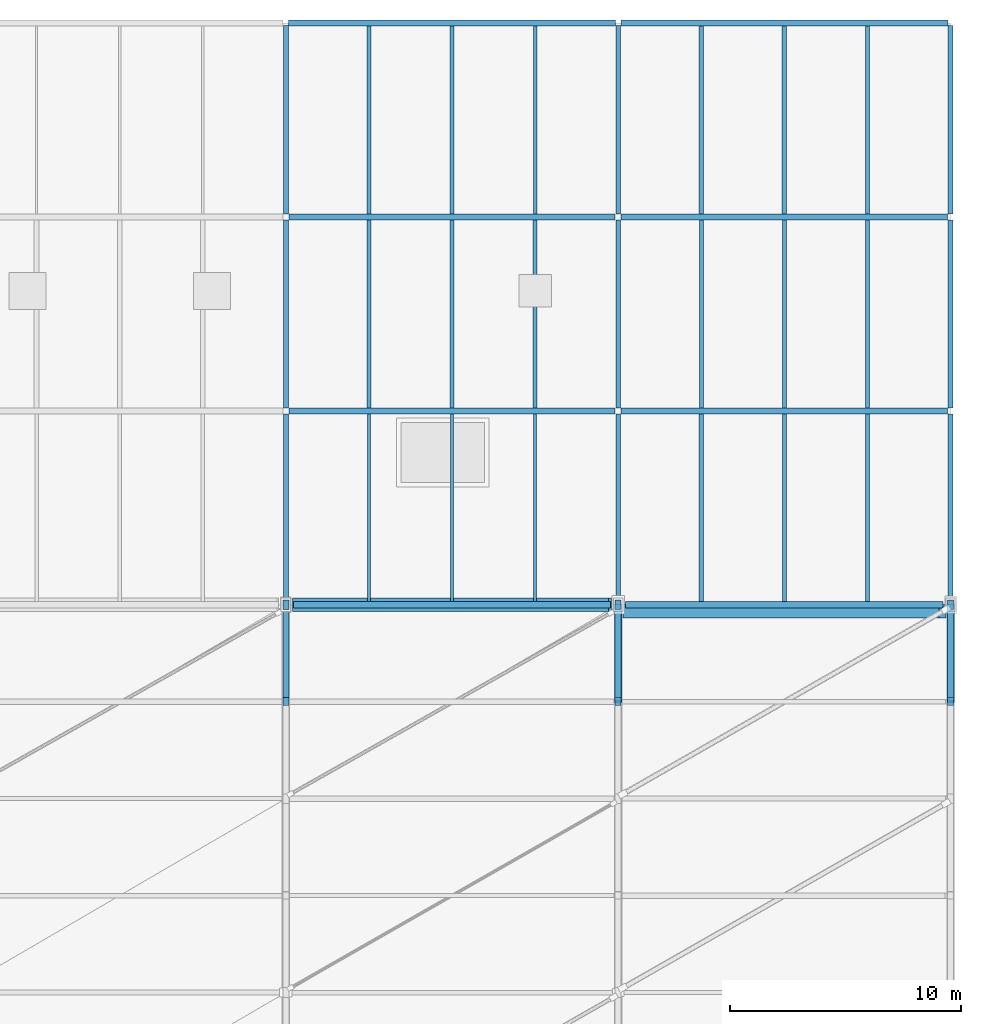
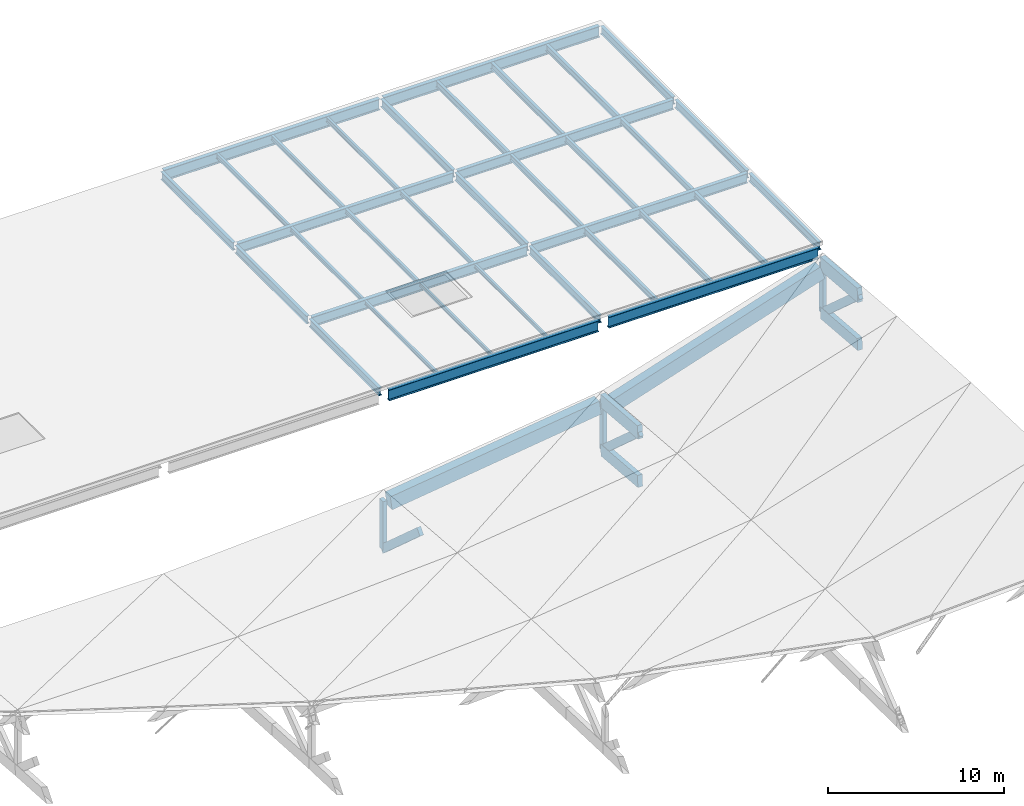
# One storey, part 11 of 22: 41 beams, 6 members.
"""IFC4 building model written with IfcOpenShell, lengths in metres."""

from ifc_helpers import new_model, si_unit, direction, frame, origin, origin_2d, place, context, subcontext, project, spatial, rectangle, i_section, extrude, material, material_profile, profile_set, type_object, element, save


model = new_model("IFC4")

# Units and contexts
model_context = context("Model", 3, precision=1e-05, world=origin(), true_north=direction((0.0, 1.0)))
body_context = subcontext(model_context, "Body", "Model", "MODEL_VIEW")
ifc_project = project(units=[si_unit("LENGTHUNIT", "METRE"), si_unit("AREAUNIT", "SQUARE_METRE"), si_unit("VOLUMEUNIT", "CUBIC_METRE"), si_unit("PLANEANGLEUNIT", "RADIAN"), si_unit("MASSUNIT", "GRAM", prefix="KILO"), si_unit("THERMODYNAMICTEMPERATUREUNIT", "KELVIN")], contexts=[model_context])

# Site, building, storey
site_placement = place(None, origin())
site = spatial("IfcSite", under=ifc_project, at=site_placement, CompositionType="ELEMENT")
building_placement = place(site_placement, origin())
building = spatial("IfcBuilding", under=site, at=building_placement, Name="Nduvali Passage Aquatics Centre", CompositionType="ELEMENT")
storey_placement = place(building_placement, frame((0.0, 0.0, 21.60009765625)))
storey = spatial("IfcBuildingStorey", under=building, at=storey_placement, Name="RF", CompositionType="ELEMENT", Elevation=21.60009765625)

# Beams
ifc_material_1 = material(Name="Glulam GL32c", Category="wood")
ifc_material_profile_1 = material_profile(ifc_material_1, rectangle(XDim=0.320068359375, YDim=0.800048828125, at=origin_2d()), Name="GL32c 320x800")
ifc_profile_set_1 = profile_set([ifc_material_profile_1], Name="Glulam GL32c")
beam_type_1 = type_object("IfcBeamType", Name="STR-BM-GL32-BOT", PredefinedType="BEAM", material=ifc_profile_set_1)
for number, where, z_axis, x_axis, name in (
    (1, (111.60009765625, 88.199951171875, -8.972900390625), (0.0, 0.996548554241, -0.083011921073), (-1.0, 0.0, 0.0), "RF Pool Hall Roof Truss Bottom Chord R7 BC1-1901"),
    (2, (126.0, 88.199951171875, -4.524169921875), (0.0, 0.996548554241, -0.083011921073), (-1.0, 0.0, 0.0), "RF Pool Hall Roof Truss Bottom Chord R8 BC1-1933"),
):
    element("IfcBeam", number, at=place(storey_placement, frame(where, z_axis=z_axis, x_axis=x_axis)), inside=storey, type_object=beam_type_1, Name=name, PredefinedType="BEAM", context=body_context, shape_type="SweptSolid", body=[
        extrude(rectangle(XDim=0.320068359375, YDim=0.800048828125, at=origin_2d()), origin(), (0.0, 0.0, 1.0), 4.214599609375),
    ])
ifc_material_profile_2 = material_profile(ifc_material_1, rectangle(XDim=0.320068359375, YDim=0.9599609375, at=origin_2d()), Name="GL32c 320x960")
ifc_profile_set_2 = profile_set([ifc_material_profile_2], Name="Glulam GL32c")
beam_type_2 = type_object("IfcBeamType", Name="STR-BM-GL32-END", PredefinedType="BEAM", material=ifc_profile_set_2)
beam_1_placement = place(storey_placement, frame((126.0, 88.199951171875, -1.1240234375), z_axis=(0.0, 0.996543760423, -0.083069450238), x_axis=(-1.0, 0.0, 0.0)))
element("IfcBeam", 3, at=beam_1_placement, inside=storey, type_object=beam_type_2, Name="RF Pool Hall Roof Truss Top Chord R8 TC0-1932", PredefinedType="BEAM", context=body_context, shape_type="SweptSolid", body=[
    extrude(rectangle(XDim=0.320068359375, YDim=0.9599609375, at=origin_2d()), origin(), (0.0, 0.0, 1.0), 4.214599609375),
])
ifc_material_profile_3 = material_profile(ifc_material_1, rectangle(XDim=0.320068359375, YDim=0.89990234375, at=origin_2d()), Name="GL32c 320x900")
ifc_profile_set_3 = profile_set([ifc_material_profile_3], Name="Glulam GL32c")
beam_type_3 = type_object("IfcBeamType", Name="STR-BM-GL32-TOP", PredefinedType="BEAM", material=ifc_profile_set_3)
beam_2_placement = place(storey_placement, frame((111.60009765625, 88.199951171875, -5.57275390625), z_axis=(0.0, 0.996543760423, -0.083069450238), x_axis=(-1.0, 0.0, 0.0)))
element("IfcBeam", 4, at=beam_2_placement, inside=storey, type_object=beam_type_3, Name="RF Pool Hall Roof Truss Top Chord R7 TC1-1900", PredefinedType="BEAM", context=body_context, shape_type="SweptSolid", body=[
    extrude(rectangle(XDim=0.320068359375, YDim=0.89990234375, at=origin_2d()), origin(), (0.0, 0.0, 1.0), 4.214599609375),
])
ifc_material_2 = material(Name="Concrete C40/50", Category="concrete")
ifc_material_profile_4 = material_profile(ifc_material_2, rectangle(XDim=0.60009765625, YDim=0.949951171875, at=origin_2d()), Name="RC 600x950")
ifc_profile_set_4 = profile_set([ifc_material_profile_4], Name="Concrete C40/50")
beam_type_4 = type_object("IfcBeamType", Name="STR-BM-RC6095-EXT", PredefinedType="BEAM", material=ifc_profile_set_4)
beam_3_placement = place(storey_placement, frame((97.550048828125, 92.39990234375, -7.9814453125), z_axis=(0.991142078777, 0.0, 0.132805796852), x_axis=(0.0, 1.0, 0.0)))
element("IfcBeam", 5, at=beam_3_placement, inside=storey, type_object=beam_type_4, Name="RF Pool Hall Perimeter Ring Beam B1E-1676", PredefinedType="BEAM", context=body_context, shape_type="SweptSolid", body=[
    extrude(rectangle(XDim=0.60009765625, YDim=0.949951171875, at=origin_2d()), origin(), (0.0, 0.0, 1.0), 13.822509765625),
])
beam_4_placement = place(storey_placement, frame((111.949951171875, 92.1201171875, -6.145751953125), z_axis=(0.950496768294, 0.0, 0.310734442027), x_axis=(0.0, 1.0, 0.0)))
element("IfcBeam", 6, at=beam_4_placement, inside=storey, type_object=beam_type_4, Name="RF Pool Hall Perimeter Ring Beam B1E-1677", PredefinedType="BEAM", context=body_context, shape_type="SweptSolid", body=[
    extrude(rectangle(XDim=0.60009765625, YDim=0.949951171875, at=origin_2d()), origin(), (0.0, 0.0, 1.0), 14.41357421875),
])
ifc_material_3 = material(Name="Steel S355", Category="steel")
ifc_material_profile_5 = material_profile(ifc_material_3, i_section(OverallWidth=0.210693359375, OverallDepth=0.53955078125, WebThickness=0.01171875, FlangeThickness=0.018798828125, FilletRadius=0.0126953125, at=origin_2d()), Name="UKB 533x210x109")
ifc_profile_set_5 = profile_set([ifc_material_profile_5], Name="Steel S355")
beam_type_5 = type_object("IfcBeamType", Name="STR-BM-UKB533", PredefinedType="BEAM", material=ifc_profile_set_5)
beam_5_placement = place(storey_placement, frame((97.199951171875, 92.72509765625, -0.493896484375), z_axis=(0.0, 1.0, 0.0), x_axis=(-1.0, 0.0, 0.0)))
element("IfcBeam", 7, at=beam_5_placement, inside=storey, type_object=beam_type_5, Name="RF Primary Y-Girder B6-1462", PredefinedType="BEAM", context=body_context, shape_type="SweptSolid", body=[
    extrude(i_section(OverallWidth=0.210693359375, OverallDepth=0.53955078125, WebThickness=0.01171875, FlangeThickness=0.018798828125, FilletRadius=0.0126953125, at=origin_2d()), origin(), (0.0, 0.0, 1.0), 7.94482421875),
])
beam_6_placement = place(storey_placement, frame((97.199951171875, 100.929931640625, -0.493896484375), z_axis=(0.0, 1.0, 0.0), x_axis=(-1.0, 0.0, 0.0)))
element("IfcBeam", 8, at=beam_6_placement, inside=storey, type_object=beam_type_5, Name="RF Primary Y-Girder B6-1463", PredefinedType="BEAM", context=body_context, shape_type="SweptSolid", body=[
    extrude(i_section(OverallWidth=0.210693359375, OverallDepth=0.53955078125, WebThickness=0.01171875, FlangeThickness=0.018798828125, FilletRadius=0.0126953125, at=origin_2d()), origin(), (0.0, 0.0, 1.0), 8.14013671875),
])
beam_7_placement = place(storey_placement, frame((97.199951171875, 109.330078125, -0.493896484375), z_axis=(0.0, 1.0, 0.0), x_axis=(-1.0, 0.0, 0.0)))
element("IfcBeam", 9, at=beam_7_placement, inside=storey, type_object=beam_type_5, Name="RF Primary Y-Girder B6-1464", PredefinedType="BEAM", context=body_context, shape_type="SweptSolid", body=[
    extrude(i_section(OverallWidth=0.210693359375, OverallDepth=0.53955078125, WebThickness=0.01171875, FlangeThickness=0.018798828125, FilletRadius=0.0126953125, at=origin_2d()), origin(), (0.0, 0.0, 1.0), 8.155029296875),
])
beam_8_placement = place(storey_placement, frame((111.60009765625, 92.72509765625, -0.493896484375), z_axis=(0.0, 1.0, 0.0), x_axis=(-1.0, 0.0, 0.0)))
element("IfcBeam", 10, at=beam_8_placement, inside=storey, type_object=beam_type_5, Name="RF Primary Y-Girder B6-1465", PredefinedType="BEAM", context=body_context, shape_type="SweptSolid", body=[
    extrude(i_section(OverallWidth=0.210693359375, OverallDepth=0.53955078125, WebThickness=0.01171875, FlangeThickness=0.018798828125, FilletRadius=0.0126953125, at=origin_2d()), origin(), (0.0, 0.0, 1.0), 7.94482421875),
])
beam_9_placement = place(storey_placement, frame((111.60009765625, 100.929931640625, -0.493896484375), z_axis=(0.0, 1.0, 0.0), x_axis=(-1.0, 0.0, 0.0)))
element("IfcBeam", 11, at=beam_9_placement, inside=storey, type_object=beam_type_5, Name="RF Primary Y-Girder B6-1466", PredefinedType="BEAM", context=body_context, shape_type="SweptSolid", body=[
    extrude(i_section(OverallWidth=0.210693359375, OverallDepth=0.53955078125, WebThickness=0.01171875, FlangeThickness=0.018798828125, FilletRadius=0.0126953125, at=origin_2d()), origin(), (0.0, 0.0, 1.0), 8.14013671875),
])
beam_10_placement = place(storey_placement, frame((111.60009765625, 109.330078125, -0.493896484375), z_axis=(0.0, 1.0, 0.0), x_axis=(-1.0, 0.0, 0.0)))
element("IfcBeam", 12, at=beam_10_placement, inside=storey, type_object=beam_type_5, Name="RF Primary Y-Girder B6-1467", PredefinedType="BEAM", context=body_context, shape_type="SweptSolid", body=[
    extrude(i_section(OverallWidth=0.210693359375, OverallDepth=0.53955078125, WebThickness=0.01171875, FlangeThickness=0.018798828125, FilletRadius=0.0126953125, at=origin_2d()), origin(), (0.0, 0.0, 1.0), 8.155029296875),
])
ifc_material_profile_6 = material_profile(ifc_material_3, i_section(OverallWidth=0.210693359375, OverallDepth=0.53955078125, WebThickness=0.01171875, FlangeThickness=0.018798828125, FilletRadius=0.0126953125, at=origin_2d()), Name="UKB 533x210x109")
ifc_profile_set_6 = profile_set([ifc_material_profile_6], Name="Steel S355")
beam_type_6 = type_object("IfcBeamType", Name="STR-BM-UKB533-EXT", PredefinedType="BEAM", material=ifc_profile_set_6)
beam_11_placement = place(storey_placement, frame((126.0, 92.72509765625, -0.493896484375), z_axis=(0.0, 1.0, 0.0), x_axis=(-1.0, 0.0, 0.0)))
element("IfcBeam", 13, at=beam_11_placement, inside=storey, type_object=beam_type_6, Name="RF Primary Y-Girder B6E-1468", PredefinedType="BEAM", context=body_context, shape_type="SweptSolid", body=[
    extrude(i_section(OverallWidth=0.210693359375, OverallDepth=0.53955078125, WebThickness=0.01171875, FlangeThickness=0.018798828125, FilletRadius=0.0126953125, at=origin_2d()), origin(), (0.0, 0.0, 1.0), 7.94482421875),
])
beam_12_placement = place(storey_placement, frame((126.0, 100.929931640625, -0.493896484375), z_axis=(0.0, 1.0, 0.0), x_axis=(-1.0, 0.0, 0.0)))
element("IfcBeam", 14, at=beam_12_placement, inside=storey, type_object=beam_type_6, Name="RF Primary Y-Girder B6E-1469", PredefinedType="BEAM", context=body_context, shape_type="SweptSolid", body=[
    extrude(i_section(OverallWidth=0.210693359375, OverallDepth=0.53955078125, WebThickness=0.01171875, FlangeThickness=0.018798828125, FilletRadius=0.0126953125, at=origin_2d()), origin(), (0.0, 0.0, 1.0), 8.14013671875),
])
beam_13_placement = place(storey_placement, frame((126.0, 109.330078125, -0.493896484375), z_axis=(0.0, 1.0, 0.0), x_axis=(-1.0, 0.0, 0.0)))
element("IfcBeam", 15, at=beam_13_placement, inside=storey, type_object=beam_type_6, Name="RF Primary Y-Girder B6E-1470", PredefinedType="BEAM", context=body_context, shape_type="SweptSolid", body=[
    extrude(i_section(OverallWidth=0.210693359375, OverallDepth=0.53955078125, WebThickness=0.01171875, FlangeThickness=0.018798828125, FilletRadius=0.0126953125, at=origin_2d()), origin(), (0.0, 0.0, 1.0), 8.155029296875),
])
ifc_material_profile_7 = material_profile(ifc_material_3, i_section(OverallWidth=0.253662109375, OverallDepth=0.68359375, WebThickness=0.012451171875, FlangeThickness=0.01904296875, FilletRadius=0.01513671875, at=origin_2d()), Name="UKB 686x254x140")
ifc_profile_set_7 = profile_set([ifc_material_profile_7], Name="Steel S355")
beam_type_7 = type_object("IfcBeamType", Name="STR-BM-UKB686", PredefinedType="BEAM", material=ifc_profile_set_7)
beam_14_placement = place(storey_placement, frame((97.330078125, 100.800048828125, -0.56591796875), z_axis=(1.0, 0.0, 0.0), x_axis=(0.0, 1.0, 0.0)))
element("IfcBeam", 16, at=beam_14_placement, inside=storey, type_object=beam_type_7, Name="RF Primary X-Girder B4-1446", PredefinedType="BEAM", context=body_context, shape_type="SweptSolid", body=[
    extrude(i_section(OverallWidth=0.253662109375, OverallDepth=0.68359375, WebThickness=0.012451171875, FlangeThickness=0.01904296875, FilletRadius=0.01513671875, at=origin_2d()), origin(), (0.0, 0.0, 1.0), 14.139892578125),
])
beam_15_placement = place(storey_placement, frame((111.72998046875, 100.800048828125, -0.56591796875), z_axis=(1.0, 0.0, 0.0), x_axis=(0.0, 1.0, 0.0)))
element("IfcBeam", 17, at=beam_15_placement, inside=storey, type_object=beam_type_7, Name="RF Primary X-Girder B4-1447", PredefinedType="BEAM", context=body_context, shape_type="SweptSolid", body=[
    extrude(i_section(OverallWidth=0.253662109375, OverallDepth=0.68359375, WebThickness=0.012451171875, FlangeThickness=0.01904296875, FilletRadius=0.01513671875, at=origin_2d()), origin(), (0.0, 0.0, 1.0), 14.14013671875),
])
beam_16_placement = place(storey_placement, frame((97.330078125, 109.199951171875, -0.56591796875), z_axis=(1.0, 0.0, 0.0), x_axis=(0.0, 1.0, 0.0)))
element("IfcBeam", 18, at=beam_16_placement, inside=storey, type_object=beam_type_7, Name="RF Primary X-Girder B4-1450", PredefinedType="BEAM", context=body_context, shape_type="SweptSolid", body=[
    extrude(i_section(OverallWidth=0.253662109375, OverallDepth=0.68359375, WebThickness=0.012451171875, FlangeThickness=0.01904296875, FilletRadius=0.01513671875, at=origin_2d()), origin(), (0.0, 0.0, 1.0), 14.139892578125),
])
beam_17_placement = place(storey_placement, frame((111.72998046875, 109.199951171875, -0.56591796875), z_axis=(1.0, 0.0, 0.0), x_axis=(0.0, 1.0, 0.0)))
element("IfcBeam", 19, at=beam_17_placement, inside=storey, type_object=beam_type_7, Name="RF Primary X-Girder B4-1451", PredefinedType="BEAM", context=body_context, shape_type="SweptSolid", body=[
    extrude(i_section(OverallWidth=0.253662109375, OverallDepth=0.68359375, WebThickness=0.012451171875, FlangeThickness=0.01904296875, FilletRadius=0.01513671875, at=origin_2d()), origin(), (0.0, 0.0, 1.0), 14.14013671875),
])
ifc_material_profile_8 = material_profile(ifc_material_3, i_section(OverallWidth=0.2666015625, OverallDepth=0.76220703125, WebThickness=0.014404296875, FlangeThickness=0.021484375, FilletRadius=0.0166015625, at=origin_2d()), Name="UKB 762x267x173")
ifc_profile_set_8 = profile_set([ifc_material_profile_8], Name="Steel S355")
beam_type_8 = type_object("IfcBeamType", Name="STR-BM-UKB762-EXT", PredefinedType="BEAM", material=ifc_profile_set_8)
for number, where, z_axis, x_axis, name in (
    (20, (97.52490234375, 92.39990234375, -0.605224609375), (1.0, 0.0, 0.0), (0.0, 1.0, 0.0), "RF Primary X-Girder B4CE-1442"),
    (21, (111.925048828125, 92.39990234375, -0.605224609375), (1.0, 0.0, 0.0), (0.0, 1.0, 0.0), "RF Primary X-Girder B4CE-1443"),
):
    element("IfcBeam", number, at=place(storey_placement, frame(where, z_axis=z_axis, x_axis=x_axis)), inside=storey, type_object=beam_type_8, Name=name, PredefinedType="BEAM", context=body_context, shape_type="SweptSolid", body=[
        extrude(i_section(OverallWidth=0.2666015625, OverallDepth=0.76220703125, WebThickness=0.014404296875, FlangeThickness=0.021484375, FilletRadius=0.0166015625, at=origin_2d()), origin(), (0.0, 0.0, 1.0), 13.75),
    ])
for number, where, z_axis, x_axis, name in (
    (22, (97.320068359375, 117.60009765625, -0.605224609375), (1.0, 0.0, 0.0), (0.0, 1.0, 0.0), "RF Primary X-Girder B4CE-1454"),
    (23, (111.719970703125, 117.60009765625, -0.605224609375), (1.0, 0.0, 0.0), (0.0, 1.0, 0.0), "RF Primary X-Girder B4CE-1455"),
):
    element("IfcBeam", number, at=place(storey_placement, frame(where, z_axis=z_axis, x_axis=x_axis)), inside=storey, type_object=beam_type_8, Name=name, PredefinedType="BEAM", context=body_context, shape_type="SweptSolid", body=[
        extrude(i_section(OverallWidth=0.2666015625, OverallDepth=0.76220703125, WebThickness=0.014404296875, FlangeThickness=0.021484375, FilletRadius=0.0166015625, at=origin_2d()), origin(), (0.0, 0.0, 1.0), 14.159912109375),
    ])
ifc_material_profile_9 = material_profile(ifc_material_3, i_section(OverallWidth=0.135009765625, OverallDepth=0.27001953125, WebThickness=0.006591796875, FlangeThickness=0.01025390625, FilletRadius=0.014892578125, at=origin_2d()), Name="IPE 270")
ifc_profile_set_9 = profile_set([ifc_material_profile_9], Name="Steel S355")
beam_type_9 = type_object("IfcBeamType", Name="STR-JST-IPE270", PredefinedType="JOIST", material=ifc_profile_set_9)
for number, where, z_axis, x_axis, name in (
    (24, (100.800048828125, 92.533203125, -0.359130859375), (0.0, 1.0, 0.0), (-1.0, 0.0, 0.0), "RF Secondary Joist J8-1477"),
    (25, (104.39990234375, 92.533203125, -0.359130859375), (0.0, 1.0, 0.0), (-1.0, 0.0, 0.0), "RF Secondary Joist J8-1478"),
    (26, (108.0, 92.533203125, -0.359130859375), (0.0, 1.0, 0.0), (-1.0, 0.0, 0.0), "RF Secondary Joist J8-1479"),
):
    element("IfcBeam", number, at=place(storey_placement, frame(where, z_axis=z_axis, x_axis=x_axis)), inside=storey, type_object=beam_type_9, Name=name, PredefinedType="JOIST", context=body_context, shape_type="SweptSolid", body=[
        extrude(i_section(OverallWidth=0.135009765625, OverallDepth=0.27001953125, WebThickness=0.006591796875, FlangeThickness=0.01025390625, FilletRadius=0.014892578125, at=origin_2d()), origin(), (0.0, 0.0, 1.0), 8.139892578125),
    ])
ifc_material_profile_10 = material_profile(ifc_material_3, i_section(OverallWidth=0.159912109375, OverallDepth=0.330078125, WebThickness=0.007568359375, FlangeThickness=0.011474609375, FilletRadius=0.01806640625, at=origin_2d()), Name="IPE 330")
ifc_profile_set_10 = profile_set([ifc_material_profile_10], Name="Steel S355")
beam_type_10 = type_object("IfcBeamType", Name="STR-JST-IPE330", PredefinedType="JOIST", material=ifc_profile_set_10)
for number, where, z_axis, x_axis, name in (
    (27, (100.800048828125, 109.326904296875, -0.38916015625), (0.0, 1.0, 0.0), (-1.0, 0.0, 0.0), "RF Secondary Joist J6A-1501"),
    (28, (104.39990234375, 109.326904296875, -0.38916015625), (0.0, 1.0, 0.0), (-1.0, 0.0, 0.0), "RF Secondary Joist J6A-1502"),
    (29, (108.0, 109.326904296875, -0.38916015625), (0.0, 1.0, 0.0), (-1.0, 0.0, 0.0), "RF Secondary Joist J6A-1503"),
):
    element("IfcBeam", number, at=place(storey_placement, frame(where, z_axis=z_axis, x_axis=x_axis)), inside=storey, type_object=beam_type_10, Name=name, PredefinedType="JOIST", context=body_context, shape_type="SweptSolid", body=[
        extrude(i_section(OverallWidth=0.159912109375, OverallDepth=0.330078125, WebThickness=0.007568359375, FlangeThickness=0.011474609375, FilletRadius=0.01806640625, at=origin_2d()), origin(), (0.0, 0.0, 1.0), 8.139892578125),
    ])
ifc_material_profile_11 = material_profile(ifc_material_3, i_section(OverallWidth=0.179931640625, OverallDepth=0.39990234375, WebThickness=0.008544921875, FlangeThickness=0.013427734375, FilletRadius=0.02099609375, at=origin_2d()), Name="IPE 400")
ifc_profile_set_11 = profile_set([ifc_material_profile_11], Name="Steel S355")
beam_type_11 = type_object("IfcBeamType", Name="STR-JST-IPE400", PredefinedType="JOIST", material=ifc_profile_set_11)
for number, where, z_axis, x_axis, name in (
    (30, (115.199951171875, 92.533203125, -0.424072265625), (0.0, 1.0, 0.0), (-1.0, 0.0, 0.0), "RF Secondary Joist J5-1480"),
    (31, (118.800048828125, 92.533203125, -0.424072265625), (0.0, 1.0, 0.0), (-1.0, 0.0, 0.0), "RF Secondary Joist J5-1481"),
    (32, (122.39990234375, 92.533203125, -0.424072265625), (0.0, 1.0, 0.0), (-1.0, 0.0, 0.0), "RF Secondary Joist J5-1482"),
):
    element("IfcBeam", number, at=place(storey_placement, frame(where, z_axis=z_axis, x_axis=x_axis)), inside=storey, type_object=beam_type_11, Name=name, PredefinedType="JOIST", context=body_context, shape_type="SweptSolid", body=[
        extrude(i_section(OverallWidth=0.179931640625, OverallDepth=0.39990234375, WebThickness=0.008544921875, FlangeThickness=0.013427734375, FilletRadius=0.02099609375, at=origin_2d()), origin(), (0.0, 0.0, 1.0), 8.139892578125),
    ])
ifc_material_profile_12 = material_profile(ifc_material_3, i_section(OverallWidth=0.18994140625, OverallDepth=0.449951171875, WebThickness=0.009521484375, FlangeThickness=0.0146484375, FilletRadius=0.02099609375, at=origin_2d()), Name="IPE 450")
ifc_profile_set_12 = profile_set([ifc_material_profile_12], Name="Steel S355")
beam_type_12 = type_object("IfcBeamType", Name="STR-JST-IPE450", PredefinedType="JOIST", material=ifc_profile_set_12)
for number, where, z_axis, x_axis, name in (
    (33, (115.199951171875, 109.326904296875, -0.44921875), (0.0, 1.0, 0.0), (-1.0, 0.0, 0.0), "RF Secondary Joist J5B-1504"),
    (34, (118.800048828125, 109.326904296875, -0.44921875), (0.0, 1.0, 0.0), (-1.0, 0.0, 0.0), "RF Secondary Joist J5B-1505"),
    (35, (122.39990234375, 109.326904296875, -0.44921875), (0.0, 1.0, 0.0), (-1.0, 0.0, 0.0), "RF Secondary Joist J5B-1506"),
):
    element("IfcBeam", number, at=place(storey_placement, frame(where, z_axis=z_axis, x_axis=x_axis)), inside=storey, type_object=beam_type_12, Name=name, PredefinedType="JOIST", context=body_context, shape_type="SweptSolid", body=[
        extrude(i_section(OverallWidth=0.18994140625, OverallDepth=0.449951171875, WebThickness=0.009521484375, FlangeThickness=0.0146484375, FilletRadius=0.02099609375, at=origin_2d()), origin(), (0.0, 0.0, 1.0), 8.139892578125),
    ])
ifc_material_profile_13 = material_profile(ifc_material_3, i_section(OverallWidth=0.165771484375, OverallDepth=0.306640625, WebThickness=0.006591796875, FlangeThickness=0.01171875, FilletRadius=0.0087890625, at=origin_2d()), Name="UKB 305x165x46")
ifc_profile_set_13 = profile_set([ifc_material_profile_13], Name="Steel S355")
beam_type_13 = type_object("IfcBeamType", Name="STR-JST-UKB305", PredefinedType="JOIST", material=ifc_profile_set_13)
for number, where, z_axis, x_axis, name in (
    (36, (100.800048828125, 100.9267578125, -0.37744140625), (0.0, 1.0, 0.0), (-1.0, 0.0, 0.0), "RF Secondary Joist J3-1489"),
    (37, (104.39990234375, 100.9267578125, -0.37744140625), (0.0, 1.0, 0.0), (-1.0, 0.0, 0.0), "RF Secondary Joist J3-1490"),
    (38, (108.0, 100.9267578125, -0.37744140625), (0.0, 1.0, 0.0), (-1.0, 0.0, 0.0), "RF Secondary Joist J3-1491"),
):
    element("IfcBeam", number, at=place(storey_placement, frame(where, z_axis=z_axis, x_axis=x_axis)), inside=storey, type_object=beam_type_13, Name=name, PredefinedType="JOIST", context=body_context, shape_type="SweptSolid", body=[
        extrude(i_section(OverallWidth=0.165771484375, OverallDepth=0.306640625, WebThickness=0.006591796875, FlangeThickness=0.01171875, FilletRadius=0.0087890625, at=origin_2d()), origin(), (0.0, 0.0, 1.0), 8.146484375),
    ])
ifc_material_profile_14 = material_profile(ifc_material_3, i_section(OverallWidth=0.1787109375, OverallDepth=0.409423828125, WebThickness=0.0087890625, FlangeThickness=0.014404296875, FilletRadius=0.01025390625, at=origin_2d()), Name="UKB 406x178x67")
ifc_profile_set_14 = profile_set([ifc_material_profile_14], Name="Steel S355")
beam_type_14 = type_object("IfcBeamType", Name="STR-JST-UKB406", PredefinedType="JOIST", material=ifc_profile_set_14)
for number, where, z_axis, x_axis, name in (
    (39, (115.199951171875, 100.9267578125, -0.4287109375), (0.0, 1.0, 0.0), (-1.0, 0.0, 0.0), "RF Secondary Joist J1-1492"),
    (40, (118.800048828125, 100.9267578125, -0.4287109375), (0.0, 1.0, 0.0), (-1.0, 0.0, 0.0), "RF Secondary Joist J1-1493"),
    (41, (122.39990234375, 100.9267578125, -0.4287109375), (0.0, 1.0, 0.0), (-1.0, 0.0, 0.0), "RF Secondary Joist J1-1494"),
):
    element("IfcBeam", number, at=place(storey_placement, frame(where, z_axis=z_axis, x_axis=x_axis)), inside=storey, type_object=beam_type_14, Name=name, PredefinedType="JOIST", context=body_context, shape_type="SweptSolid", body=[
        extrude(i_section(OverallWidth=0.1787109375, OverallDepth=0.409423828125, WebThickness=0.0087890625, FlangeThickness=0.014404296875, FilletRadius=0.01025390625, at=origin_2d()), origin(), (0.0, 0.0, 1.0), 8.146484375),
    ])

# Members
ifc_material_4 = material(Name="Glulam GL28h", Category="wood")
ifc_material_profile_15 = material_profile(ifc_material_4, rectangle(XDim=0.260009765625, YDim=0.52001953125, at=origin_2d()), Name="GL28h 260x520")
ifc_profile_set_15 = profile_set([ifc_material_profile_15], Name="Glulam GL28h")
member_type_1 = type_object("IfcMemberType", Name="STR-MEM-GL-DIAG", PredefinedType="CHORD", material=ifc_profile_set_15)
for number, where, z_axis, x_axis, name in (
    (42, (97.199951171875, 88.199951171875, -7.408447265625), (0.0, 0.745933814853, -0.666020077669), (-1.0, 0.0, 0.0), "Pool Hall Roof Truss Web Diagonal R6-16"),
    (43, (111.60009765625, 88.199951171875, -5.57275390625), (0.0, 0.745933814853, -0.666020077669), (-1.0, 0.0, 0.0), "Pool Hall Roof Truss Web Diagonal R7-16"),
    (44, (126.0, 88.199951171875, -1.1240234375), (0.0, 0.745933814853, -0.666020077669), (-1.0, 0.0, 0.0), "Pool Hall Roof Truss Web Diagonal R8-16"),
):
    element("IfcMember", number, at=place(storey_placement, frame(where, z_axis=z_axis, x_axis=x_axis)), inside=storey, type_object=member_type_1, Name=name, PredefinedType="CHORD", context=body_context, shape_type="SweptSolid", body=[
        extrude(rectangle(XDim=0.260009765625, YDim=0.52001953125, at=origin_2d()), origin(), (0.0, 0.0, 1.0), 5.63037109375),
    ])
ifc_material_profile_16 = material_profile(ifc_material_4, rectangle(XDim=0.260009765625, YDim=0.419921875, at=origin_2d()), Name="GL28h 260x420")
ifc_profile_set_16 = profile_set([ifc_material_profile_16], Name="Glulam GL28h")
member_type_2 = type_object("IfcMemberType", Name="STR-MEM-GL-VERT", PredefinedType="STRUT", material=ifc_profile_set_16)
for number, where, z_axis, x_axis, name in (
    (45, (97.199951171875, 92.39990234375, -11.158447265625), (0.0, 0.0, 1.0), (1.0, 0.0, 0.0), "Pool Hall Roof Truss Vertical Strut R6-9"),
    (46, (111.60009765625, 92.39990234375, -9.32275390625), (0.0, 0.0, 1.0), (1.0, 0.0, 0.0), "Pool Hall Roof Truss Vertical Strut R7-9"),
    (47, (126.0, 92.39990234375, -4.8740234375), (0.0, 0.0, 1.0), (1.0, 0.0, 0.0), "Pool Hall Roof Truss Vertical Strut R8-9"),
):
    element("IfcMember", number, at=place(storey_placement, frame(where, z_axis=z_axis, x_axis=x_axis)), inside=storey, type_object=member_type_2, Name=name, PredefinedType="STRUT", context=body_context, shape_type="SweptSolid", body=[
        extrude(rectangle(XDim=0.260009765625, YDim=0.419921875, at=origin_2d()), origin(), (0.0, 0.0, 1.0), 3.39990234375),
    ])

save(model, "model.ifc")
